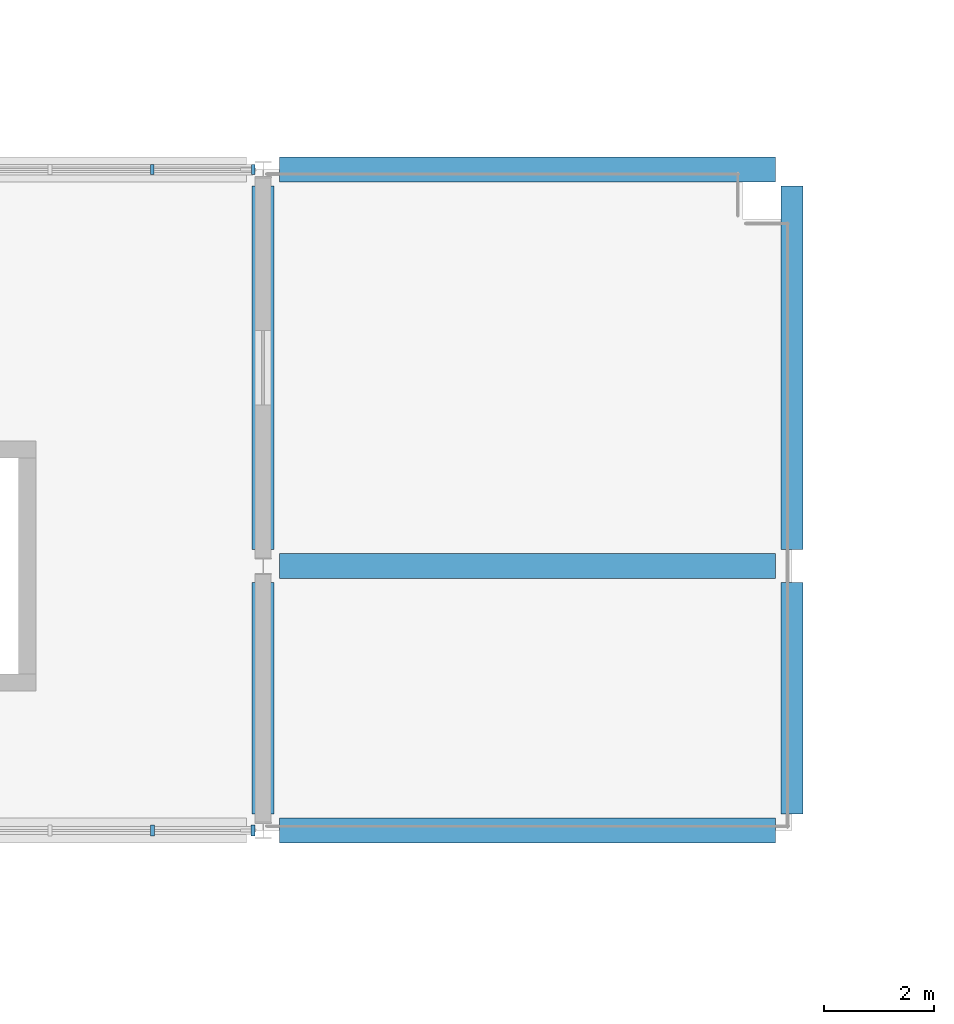
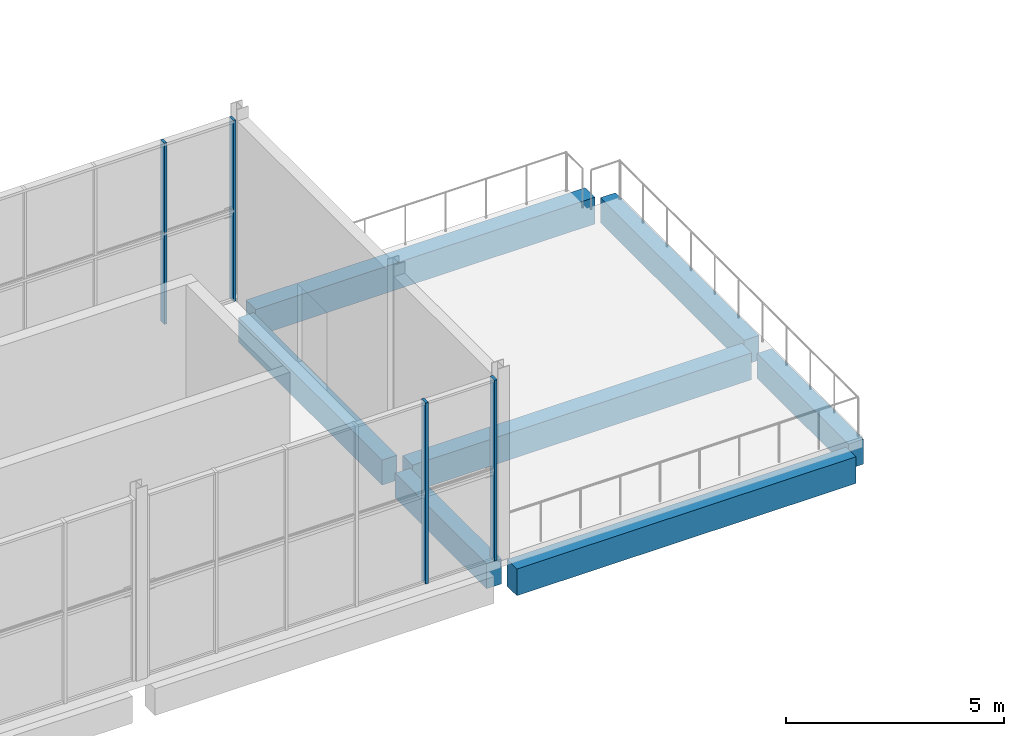
# One storey, part 19 of 83: 7 beams, 4 members, 2 elements without a shape of their own.
"""IFC4 building model written with IfcOpenShell, lengths in metres."""

from ifc_helpers import new_model, si_unit, direction, frame, origin, origin_2d, place, context, subcontext, project, spatial, rectangle, extrude, material, material_profile, profile_set, type_object, element, aggregate, save


model = new_model("IFC4")

# Units and contexts
model_context = context("Model", 3, precision=1e-05, world=origin(), true_north=direction((0.0, 1.0)))
body_context = subcontext(model_context, "Body", "Model", "MODEL_VIEW")
ifc_project = project(units=[si_unit("LENGTHUNIT", "METRE"), si_unit("AREAUNIT", "SQUARE_METRE"), si_unit("VOLUMEUNIT", "CUBIC_METRE"), si_unit("PLANEANGLEUNIT", "RADIAN"), si_unit("MASSUNIT", "GRAM", prefix="KILO")], contexts=[model_context])

# Site, building, storey
site_placement = place(None, origin())
site = spatial("IfcSite", under=ifc_project, at=site_placement, CompositionType="ELEMENT")
building_placement = place(site_placement, origin())
building = spatial("IfcBuilding", under=site, at=building_placement, Name="Shalvenor Court Art Gallery", CompositionType="ELEMENT")
storey_placement = place(building_placement, frame((0.0, 0.0, 6.0)))
storey = spatial("IfcBuildingStorey", under=building, at=storey_placement, Name="L01", CompositionType="ELEMENT", Elevation=6.0)

# Beams
ifc_material_1 = material(Name="Concrete C40/50", Category="concrete")
ifc_material_profile_1 = material_profile(ifc_material_1, rectangle(XDim=0.449951171875, YDim=0.75, at=origin_2d()), Name="RC 450x750")
ifc_profile_set_1 = profile_set([ifc_material_profile_1], Name="Concrete C40/50")
beam_type_1 = type_object("IfcBeamType", Name="B-04", PredefinedType="BEAM", material=ifc_profile_set_1)
for number, where, z_axis, x_axis, name in (
    (1, (67.5, 45.60009765625, -0.695068359375), (1.0, 0.0, 0.0), (0.0, 1.0, 0.0), "L01 Girder BM-L01-B-04-0536"),
    (2, (67.5, 50.39990234375, -0.695068359375), (1.0, 0.0, 0.0), (0.0, 1.0, 0.0), "L01 Girder BM-L01-B-04-0542"),
    (3, (67.5, 57.60009765625, -0.695068359375), (1.0, 0.0, 0.0), (0.0, 1.0, 0.0), "L01 Girder BM-L01-B-04-0550"),
):
    element("IfcBeam", number, at=place(storey_placement, frame(where, z_axis=z_axis, x_axis=x_axis)), inside=storey, type_object=beam_type_1, Name=name, PredefinedType="BEAM", context=body_context, shape_type="SweptSolid", body=[
        extrude(rectangle(XDim=0.449951171875, YDim=0.75, at=origin_2d()), origin(), (0.0, 0.0, 1.0), 9.0),
    ])
ifc_material_2 = material(Name="Concrete C40/50", Category="concrete")
ifc_material_profile_2 = material_profile(ifc_material_2, rectangle(XDim=0.39990234375, YDim=0.699951171875, at=origin_2d()), Name="RC 400x700")
ifc_profile_set_2 = profile_set([ifc_material_profile_2], Name="Concrete C40/50")
beam_type_2 = type_object("IfcBeamType", Name="B-05", PredefinedType="BEAM", material=ifc_profile_set_2)
beam_1_placement = place(storey_placement, frame((67.199951171875, 45.89990234375, -0.669921875), z_axis=(0.0, 1.0, 0.0), x_axis=(-1.0, 0.0, 0.0)))
element("IfcBeam", 4, at=beam_1_placement, inside=storey, type_object=beam_type_2, Name="L01 Girder BM-L01-B-05-0410", PredefinedType="BEAM", context=body_context, shape_type="SweptSolid", body=[
    extrude(rectangle(XDim=0.39990234375, YDim=0.699951171875, at=origin_2d()), origin(), (0.0, 0.0, 1.0), 4.2001953125),
])
beam_2_placement = place(storey_placement, frame((67.199951171875, 50.699951171875, -0.669921875), z_axis=(0.0, 1.0, 0.0), x_axis=(-1.0, 0.0, 0.0)))
element("IfcBeam", 5, at=beam_2_placement, inside=storey, type_object=beam_type_2, Name="L01 Girder BM-L01-B-05-0411", PredefinedType="BEAM", context=body_context, shape_type="SweptSolid", body=[
    extrude(rectangle(XDim=0.39990234375, YDim=0.699951171875, at=origin_2d()), origin(), (0.0, 0.0, 1.0), 6.60009765625),
])
beam_3_placement = place(storey_placement, frame((76.800048828125, 45.89990234375, -0.669921875), z_axis=(0.0, 1.0, 0.0), x_axis=(-1.0, 0.0, 0.0)))
element("IfcBeam", 6, at=beam_3_placement, inside=storey, type_object=beam_type_2, Name="L01 Girder BM-L01-B-05-0414", PredefinedType="BEAM", context=body_context, shape_type="SweptSolid", body=[
    extrude(rectangle(XDim=0.39990234375, YDim=0.699951171875, at=origin_2d()), origin(), (0.0, 0.0, 1.0), 4.2001953125),
])
beam_4_placement = place(storey_placement, frame((76.800048828125, 50.699951171875, -0.669921875), z_axis=(0.0, 1.0, 0.0), x_axis=(-1.0, 0.0, 0.0)))
element("IfcBeam", 7, at=beam_4_placement, inside=storey, type_object=beam_type_2, Name="L01 Girder BM-L01-B-05-0415", PredefinedType="BEAM", context=body_context, shape_type="SweptSolid", body=[
    extrude(rectangle(XDim=0.39990234375, YDim=0.699951171875, at=origin_2d()), origin(), (0.0, 0.0, 1.0), 6.60009765625),
])

# Curtain wall, members
ifc_material_3 = material(Name="Anodised aluminium and low-iron glass curtain wall", Category="aluminium")
curtain_wall_type_1 = type_object("IfcCurtainWallType", Name="CW-5x2-93-51-146", PredefinedType="USERDEFINED", material=ifc_material_3)
curtain_wall_1_placement = place(storey_placement, origin())
curtain_wall_1 = element("IfcCurtainWall", 8, at=curtain_wall_1_placement, inside=storey, type_object=curtain_wall_type_1, Name="L01 V6 Curtain Wall CW-L01-200", ObjectType="CURTAIN WALL", PredefinedType="USERDEFINED")
ifc_material_4 = material(Name="Anodised aluminium mullion", Category="aluminium")
ifc_material_profile_3 = material_profile(ifc_material_4, rectangle(XDim=0.06494140625, YDim=0.179931640625, at=origin_2d()), Name="CWM-01")
ifc_profile_set_3 = profile_set([ifc_material_profile_3], Name="Anodised aluminium mullion")
member_type_1 = type_object("IfcMemberType", Name="CWM-01", PredefinedType="MULLION", material=ifc_profile_set_3)
member_1_placement = place(storey_placement, frame((65.18994140625, 57.60009765625, 0.0), z_axis=(0.0, 0.0, 1.0), x_axis=(1.0, 0.0, 0.0)))
member_1 = element("IfcMember", 9, at=member_1_placement, type_object=member_type_1, Name="CW-5x2-93-51-146 mullion 5", PredefinedType="MULLION", context=body_context, shape_type="SweptSolid", body=[
    extrude(rectangle(XDim=0.06494140625, YDim=0.179931640625, at=origin_2d()), origin(), (0.0, 0.0, 1.0), 5.080078125),
])
member_2_placement = place(storey_placement, frame((67.017578125, 57.60009765625, 0.0), z_axis=(0.0, 0.0, 1.0), x_axis=(1.0, 0.0, 0.0)))
member_2 = element("IfcMember", 10, at=member_2_placement, type_object=member_type_1, Name="CW-5x2-93-51-146 mullion 6", PredefinedType="MULLION", context=body_context, shape_type="SweptSolid", body=[
    extrude(rectangle(XDim=0.06494140625, YDim=0.179931640625, at=origin_2d()), origin(), (0.0, 0.0, 1.0), 5.080078125),
])
aggregate(curtain_wall_1, [member_1, member_2])

ifc_material_5 = material(Name="Anodised aluminium and low-iron glass curtain wall", Category="aluminium")
curtain_wall_type_2 = type_object("IfcCurtainWallType", Name="CW-5x2-93-51-216", PredefinedType="USERDEFINED", material=ifc_material_5)
curtain_wall_2_placement = place(storey_placement, origin())
curtain_wall_2 = element("IfcCurtainWall", 11, at=curtain_wall_2_placement, inside=storey, type_object=curtain_wall_type_2, Name="L01 V6 Curtain Wall CW-L01-201", ObjectType="CURTAIN WALL", PredefinedType="USERDEFINED")
ifc_material_6 = material(Name="Anodised aluminium mullion", Category="aluminium")
ifc_material_profile_4 = material_profile(ifc_material_6, rectangle(XDim=0.070068359375, YDim=0.199951171875, at=origin_2d()), Name="CWM-02")
ifc_profile_set_4 = profile_set([ifc_material_profile_4], Name="Anodised aluminium mullion")
member_type_2 = type_object("IfcMemberType", Name="CWM-02", PredefinedType="MULLION", material=ifc_profile_set_4)
member_3_placement = place(storey_placement, frame((67.014892578125, 45.60009765625, 0.0), z_axis=(0.0, 0.0, 1.0), x_axis=(-1.0, 0.0, 0.0)))
member_3 = element("IfcMember", 12, at=member_3_placement, type_object=member_type_2, Name="CW-5x2-93-51-216 mullion 1", PredefinedType="MULLION", context=body_context, shape_type="SweptSolid", body=[
    extrude(rectangle(XDim=0.070068359375, YDim=0.199951171875, at=origin_2d()), origin(), (0.0, 0.0, 1.0), 5.080078125),
])
member_4_placement = place(storey_placement, frame((65.18994140625, 45.60009765625, 0.0), z_axis=(0.0, 0.0, 1.0), x_axis=(-1.0, 0.0, 0.0)))
member_4 = element("IfcMember", 13, at=member_4_placement, type_object=member_type_2, Name="CW-5x2-93-51-216 mullion 2", PredefinedType="MULLION", context=body_context, shape_type="SweptSolid", body=[
    extrude(rectangle(XDim=0.070068359375, YDim=0.199951171875, at=origin_2d()), origin(), (0.0, 0.0, 1.0), 5.080078125),
])
aggregate(curtain_wall_2, [member_3, member_4])

save(model, "model.ifc")
